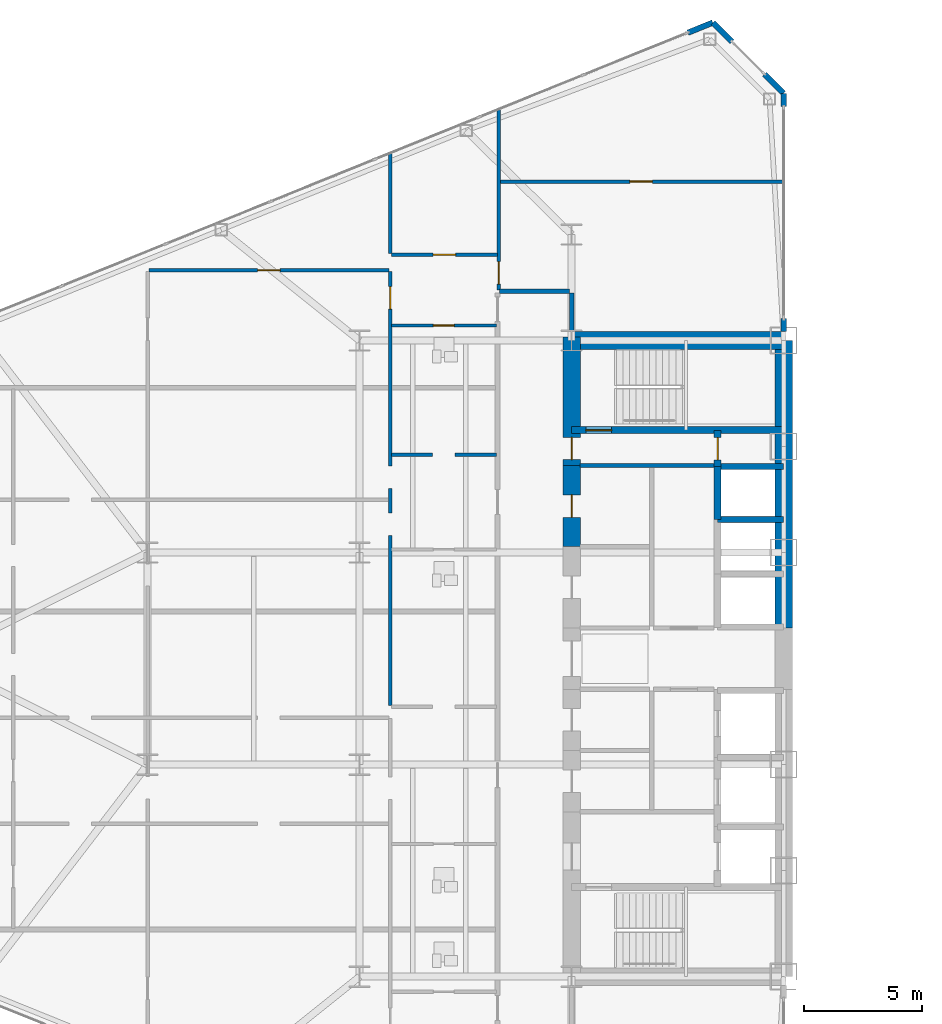
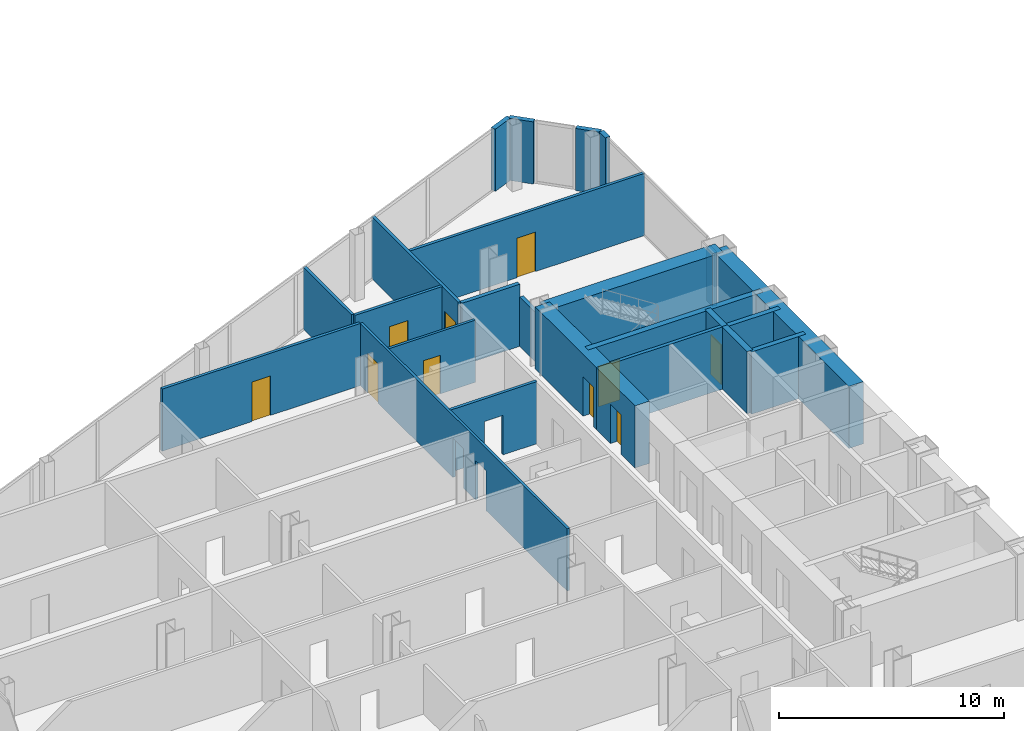
# One storey, part 19 of 25: 25 walls, 10 doors, 13 openings.
"""IFC4 building model written with IfcOpenShell, lengths in metres."""

from ifc_helpers import new_model, si_unit, direction, frame, frame_2d, origin, place, context, subcontext, project, spatial, rectangle, extrude, source, transform, mapped, material, layer, layer_set, type_object, type_shapes, element, fill, save


model = new_model("IFC4")

# Units and contexts
model_context = context("Model", 3, precision=1e-05, world=origin(), true_north=direction((0.0, 1.0)))
body_context = subcontext(model_context, "Body", "Model", "MODEL_VIEW")
ifc_project = project(units=[si_unit("LENGTHUNIT", "METRE"), si_unit("AREAUNIT", "SQUARE_METRE"), si_unit("VOLUMEUNIT", "CUBIC_METRE"), si_unit("PLANEANGLEUNIT", "RADIAN"), si_unit("MASSUNIT", "GRAM", prefix="KILO")], contexts=[model_context])

# Site, building, storey
site_placement = place(None, origin())
site = spatial("IfcSite", under=ifc_project, at=site_placement, CompositionType="ELEMENT")
building_placement = place(site_placement, origin())
building = spatial("IfcBuilding", under=site, at=building_placement, Name="Seokmaru Belvedere", CompositionType="ELEMENT")
storey_placement = place(building_placement, frame((0.0, 0.0, 26.10009765625)))
storey = spatial("IfcBuildingStorey", under=building, at=storey_placement, Name="L06", CompositionType="ELEMENT", Elevation=26.10009765625)

# Wall, opening
ifc_material_1 = material(Name="Fire-Rated Gypsum Shaftwall")
ifc_layer_1 = layer(ifc_material_1, 0.14990234375)
ifc_layer_set_1 = layer_set([ifc_layer_1], Name="Fire-Rated Gypsum Shaftwall")
wall_type_1 = type_object("IfcWallType", Name="Apartment Fire-Acoustic Room Partition 150", PredefinedType="PARTITIONING", material=ifc_layer_set_1)
wall_1_placement = place(storey_placement, frame((-44.14990234375, 8.64990234375, 0.0), z_axis=(0.0, 0.0, 1.0), x_axis=(1.0, 0.0, 0.0)))
wall_1 = element("IfcWall", 1, at=wall_1_placement, inside=storey, type_object=wall_type_1, Name="L06 Interior Partition 026", PredefinedType="PARTITIONING", context=body_context, shape_type="SweptSolid", body=[
    extrude(rectangle(XDim=4.449951171875, YDim=0.14990234375, at=frame_2d((2.22509765625, 0.0))), origin(), (0.0, 0.0, 1.0), 3.3798828125),
])
opening_1_placement = place(wall_1_placement, frame((1.75, 0.0, 0.0)))
element("IfcOpeningElement", 2, at=opening_1_placement, cuts=wall_1, Name="L06 Cased Opening 023", PredefinedType="OPENING", context=body_context, shape_type="SweptSolid", body=[
    extrude(rectangle(XDim=0.949951171875, YDim=2.14990234375, at=frame_2d((0.47509765625, 1.074951171875))), frame((0.0, 0.0849609375, 0.0), z_axis=(0.0, -1.0, 0.0), x_axis=(1.0, 0.0, 0.0)), (0.0, 0.0, 1.0), 0.169921875),
])

# Wall, opening, door
wall_2_placement = place(storey_placement, frame((-54.449951171875, 16.47998046875, 0.0), z_axis=(0.0, 0.0, 1.0), x_axis=(1.0, 0.0, 0.0)))
wall_2 = element("IfcWall", 3, at=wall_2_placement, inside=storey, type_object=wall_type_1, Name="L06 Interior Partition 034", PredefinedType="PARTITIONING", context=body_context, shape_type="SweptSolid", body=[
    extrude(rectangle(XDim=10.199951171875, YDim=0.14990234375, at=frame_2d((5.10009765625, 0.0))), origin(), (0.0, 0.0, 1.0), 3.3798828125),
])
opening_2_placement = place(wall_2_placement, frame((4.625, 0.0, 0.0)))
opening_2 = element("IfcOpeningElement", 4, at=opening_2_placement, cuts=wall_2, Name="Opening D05", PredefinedType="OPENING", context=body_context, shape_type="SweptSolid", body=[
    extrude(rectangle(XDim=0.949951171875, YDim=2.14990234375, at=frame_2d((0.47509765625, 1.074951171875))), frame((0.0, 0.0849609375, 0.0), z_axis=(0.0, -1.0, 0.0), x_axis=(1.0, 0.0, 0.0)), (0.0, 0.0, 1.0), 0.169921875),
])
ifc_material_2 = material(Name="Engineered White Oak Timber", Category="wood")
door_type_1 = type_object("IfcDoorType", Name="Apartment Interior Fire-Rated Oak Door 950x2150", OperationType="NOTDEFINED", PredefinedType="DOOR", material=ifc_material_2)
shared_shape_1 = source(origin(), body_context, "Body", "SweptSolid", [
    extrude(rectangle(XDim=0.949951171875, YDim=2.14990234375, at=frame_2d((0.47509765625, 1.074951171875))), frame((0.0, 0.02490234375, 0.0), z_axis=(0.0, -1.0, 0.0), x_axis=(1.0, 0.0, 0.0)), (0.0, 0.0, 1.0), 0.050048828125),
])
type_shapes(door_type_1, [shared_shape_1])
door_1_placement = place(opening_2_placement, origin())
door_1 = element("IfcDoor", 5, at=door_1_placement, inside=storey, type_object=door_type_1, Name="L06 Interior Door 036", OperationType="SINGLE_SWING_LEFT", OverallHeight=2.14990234375, OverallWidth=0.949951171875, PredefinedType="DOOR", context=body_context, shape_type="MappedRepresentation", body=[
    mapped(shared_shape_1, transform((0.0, 0.0, 0.0), scale=1.0)),
])
fill(opening_2, door_1)

wall_3_placement = place(storey_placement, frame((-44.14990234375, 17.139892578125, 0.0), z_axis=(0.0, 0.0, 1.0), x_axis=(1.0, 0.0, 0.0)))
wall_3 = element("IfcWall", 6, at=wall_3_placement, inside=storey, type_object=wall_type_1, Name="L06 Interior Partition 035", PredefinedType="PARTITIONING", context=body_context, shape_type="SweptSolid", body=[
    extrude(rectangle(XDim=4.5, YDim=0.14990234375, at=frame_2d((2.25, 0.0))), origin(), (0.0, 0.0, 1.0), 3.3798828125),
])
opening_3_placement = place(wall_3_placement, frame((1.77490234375, 0.0, 0.0)))
opening_3 = element("IfcOpeningElement", 7, at=opening_3_placement, cuts=wall_3, Name="Opening D05", PredefinedType="OPENING", context=body_context, shape_type="SweptSolid", body=[
    extrude(rectangle(XDim=0.949951171875, YDim=2.14990234375, at=frame_2d((0.47509765625, 1.074951171875))), frame((0.0, 0.0849609375, 0.0), z_axis=(0.0, -1.0, 0.0), x_axis=(1.0, 0.0, 0.0)), (0.0, 0.0, 1.0), 0.169921875),
])
door_2_placement = place(opening_3_placement, origin())
door_2 = element("IfcDoor", 8, at=door_2_placement, inside=storey, type_object=door_type_1, Name="L06 Interior Door 032", OperationType="SINGLE_SWING_LEFT", OverallHeight=2.14990234375, OverallWidth=0.949951171875, PredefinedType="DOOR", context=body_context, shape_type="MappedRepresentation", body=[
    mapped(shared_shape_1, transform((0.0, 0.0, 0.0), scale=1.0)),
])
fill(opening_3, door_2)

wall_4_placement = place(storey_placement, frame((-39.550048828125, 20.25, 0.0), z_axis=(0.0, 0.0, 1.0), x_axis=(1.0, 0.0, 0.0)))
wall_4 = element("IfcWall", 9, at=wall_4_placement, inside=storey, type_object=wall_type_1, Name="L06 Interior Partition 037", PredefinedType="PARTITIONING", context=body_context, shape_type="SweptSolid", body=[
    extrude(rectangle(XDim=12.0849609375, YDim=0.14990234375, at=frame_2d((6.04248046875, 0.0))), origin(), (0.0, 0.0, 1.0), 3.3798828125),
])
opening_4_placement = place(wall_4_placement, frame((5.52490234375, 0.0, 0.0)))
opening_4 = element("IfcOpeningElement", 10, at=opening_4_placement, cuts=wall_4, Name="Opening D05", PredefinedType="OPENING", context=body_context, shape_type="SweptSolid", body=[
    extrude(rectangle(XDim=0.949951171875, YDim=2.14990234375, at=frame_2d((0.47509765625, 1.074951171875))), frame((0.0, 0.0849609375, 0.0), z_axis=(0.0, -1.0, 0.0), x_axis=(1.0, 0.0, 0.0)), (0.0, 0.0, 1.0), 0.169921875),
])
door_3_placement = place(opening_4_placement, origin())
door_3 = element("IfcDoor", 11, at=door_3_placement, inside=storey, type_object=door_type_1, Name="L06 Interior Door 037", OperationType="SINGLE_SWING_RIGHT", OverallHeight=2.14990234375, OverallWidth=0.949951171875, PredefinedType="DOOR", context=body_context, shape_type="MappedRepresentation", body=[
    mapped(shared_shape_1, transform((0.0, 0.0, 0.0), scale=1.0)),
])
fill(opening_4, door_3)

# Wall
wall_5_placement = place(storey_placement, frame((-44.199951171875, 17.195068359375, 0.0), z_axis=(0.0, 0.0, 1.0), x_axis=(0.0, 1.0, 0.0)))
element("IfcWall", 12, at=wall_5_placement, inside=storey, type_object=wall_type_1, Name="L06 Interior Partition 044", PredefinedType="PARTITIONING", context=body_context, shape_type="SweptSolid", body=[
    extrude(rectangle(XDim=4.294921875, YDim=0.14990234375, at=frame_2d((2.1474609375, 0.0))), origin(), (0.0, 0.0, 1.0), 3.3798828125),
])

# Wall, opening, door
wall_6_placement = place(storey_placement, frame((-39.60009765625, 15.64990234375, 0.0), z_axis=(0.0, 0.0, 1.0), x_axis=(0.0, 1.0, 0.0)))
wall_6 = element("IfcWall", 13, at=wall_6_placement, inside=storey, type_object=wall_type_1, Name="L06 Interior Partition 047", PredefinedType="PARTITIONING", context=body_context, shape_type="SweptSolid", body=[
    extrude(rectangle(XDim=7.7021484375, YDim=0.14990234375, at=frame_2d((3.85107421875, 0.0))), origin(), (0.0, 0.0, 1.0), 3.3798828125),
])
opening_5_placement = place(wall_6_placement, frame((0.24755859375, 0.0, 0.0)))
opening_5 = element("IfcOpeningElement", 14, at=opening_5_placement, cuts=wall_6, Name="Opening D05", PredefinedType="OPENING", context=body_context, shape_type="SweptSolid", body=[
    extrude(rectangle(XDim=0.949951171875, YDim=2.14990234375, at=frame_2d((0.47509765625, 1.074951171875))), frame((0.0, 0.0849609375, 0.0), z_axis=(0.0, -1.0, 0.0), x_axis=(1.0, 0.0, 0.0)), (0.0, 0.0, 1.0), 0.169921875),
])
door_4_placement = place(opening_5_placement, origin())
door_4 = element("IfcDoor", 15, at=door_4_placement, inside=storey, type_object=door_type_1, Name="L06 Interior Door 034", OperationType="SINGLE_SWING_LEFT", OverallHeight=2.14990234375, OverallWidth=0.949951171875, PredefinedType="DOOR", context=body_context, shape_type="MappedRepresentation", body=[
    mapped(shared_shape_1, transform((0.0, 0.0, 0.0), scale=1.0)),
])
fill(opening_5, door_4)

# Walls
ifc_layer_2 = layer(ifc_material_1, 0.179931640625)
ifc_layer_set_2 = layer_set([ifc_layer_2], Name="Fire-Rated Gypsum Shaftwall")
wall_type_2 = type_object("IfcWallType", Name="Core Service Fire Partition 180", PredefinedType="PARTITIONING", material=ifc_layer_set_2)
wall_7_placement = place(storey_placement, frame((-36.14990234375, 8.199951171875, 0.0), z_axis=(0.0, 0.0, 1.0), x_axis=(1.0, 0.0, 0.0)))
element("IfcWall", 16, at=wall_7_placement, inside=storey, type_object=wall_type_2, Name="L06 West Smokeproof Vestibule Partition", PredefinedType="PARTITIONING", context=body_context, shape_type="SweptSolid", body=[
    extrude(rectangle(XDim=5.699951171875, YDim=0.179931640625, at=frame_2d((2.85009765625, 0.0))), origin(), (0.0, 0.0, 1.0), 3.3798828125),
])
ifc_material_3 = material(Name="Concrete C50 (50 MPa)", Category="concrete")
ifc_layer_3 = layer(ifc_material_3, 0.25)
ifc_layer_set_3 = layer_set([ifc_layer_3], Name="Concrete C50 (50 MPa)")
wall_type_3 = type_object("IfcWallType", Name="Hoistway Transverse Concrete Divider Wall 250", PredefinedType="SHEAR", material=ifc_layer_set_3)
for number, where, z_axis, x_axis, name in (
    (17, (-30.300048828125, 5.89990234375, 0.0), (0.0, 0.0, 1.0), (1.0, 0.0, 0.0), "L06 West Hoistway Divider Core Wall 6"),
    (18, (-30.300048828125, 8.14990234375, 0.0), (0.0, 0.0, 1.0), (1.0, 0.0, 0.0), "L06 West Hoistway Divider Core Wall 7"),
):
    element("IfcWall", number, at=place(storey_placement, frame(where, z_axis=z_axis, x_axis=x_axis)), inside=storey, type_object=wall_type_3, Name=name, PredefinedType="SHEAR", context=body_context, shape_type="SweptSolid", body=[
        extrude(rectangle(XDim=2.800048828125, YDim=0.25, at=frame_2d((1.39990234375, 0.0))), origin(), (0.0, 0.0, 1.0), 3.3798828125),
    ])
ifc_layer_4 = layer(ifc_material_1, 0.199951171875)
ifc_layer_set_4 = layer_set([ifc_layer_4], Name="Fire-Rated Gypsum Shaftwall")
wall_type_4 = type_object("IfcWallType", Name="Inter-Tenancy Fire Compartment Partition 200", PredefinedType="PARTITIONING", material=ifc_layer_set_4)
wall_8_placement = place(storey_placement, frame((-39.56494140625, 15.60009765625, 0.0), z_axis=(0.0, 0.0, 1.0), x_axis=(1.0, 0.0, 0.0)))
element("IfcWall", 19, at=wall_8_placement, inside=storey, type_object=wall_type_4, Name="L06 Interior Partition 032", PredefinedType="PARTITIONING", context=body_context, shape_type="SweptSolid", body=[
    extrude(rectangle(XDim=2.97998046875, YDim=0.199951171875, at=frame_2d((1.489990234375, 0.0))), origin(), (0.0, 0.0, 1.0), 3.3798828125),
])
wall_9_placement = place(storey_placement, frame((-36.5, 13.8798828125, 0.0), z_axis=(0.0, 0.0, 1.0), x_axis=(0.0, 1.0, 0.0)))
element("IfcWall", 20, at=wall_9_placement, inside=storey, type_object=wall_type_4, Name="L06 Interior Partition 049", PredefinedType="PARTITIONING", context=body_context, shape_type="SweptSolid", body=[
    extrude(rectangle(XDim=1.635009765625, YDim=0.199951171875, at=frame_2d((0.8173828125, 0.0))), origin(), (0.0, 0.0, 1.0), 2.679931640625),
])

# Wall, opening, door
ifc_layer_5 = layer(ifc_material_3, 0.300048828125)
ifc_layer_set_5 = layer_set([ifc_layer_5], Name="Concrete C50 (50 MPa)")
wall_type_5 = type_object("IfcWallType", Name="Internal Core Stair and Hoistway Wall 300", PredefinedType="SHEAR", material=ifc_layer_set_5)
wall_10_placement = place(storey_placement, frame((-36.5, 9.699951171875, 0.0), z_axis=(0.0, 0.0, 1.0), x_axis=(1.0, 0.0, 0.0)))
wall_10 = element("IfcWall", 21, at=wall_10_placement, inside=storey, type_object=wall_type_5, Name="L06 West Stair ST-2 Enclosure Wall", PredefinedType="SHEAR", context=body_context, shape_type="SweptSolid", body=[
    extrude(rectangle(XDim=9.0, YDim=0.300048828125, at=frame_2d((4.5, 0.0))), origin(), (0.0, 0.0, 1.0), 3.3798828125),
])
opening_6_placement = place(wall_10_placement, frame((0.60009765625, 0.0, 0.0)))
opening_6 = element("IfcOpeningElement", 22, at=opening_6_placement, cuts=wall_10, Name="Opening D01", PredefinedType="OPENING", context=body_context, shape_type="SweptSolid", body=[
    extrude(rectangle(XDim=1.10009765625, YDim=2.199951171875, at=frame_2d((0.550048828125, 1.10009765625))), frame((0.0, 0.16015625, 0.0), z_axis=(0.0, -1.0, 0.0), x_axis=(1.0, 0.0, 0.0)), (0.0, 0.0, 1.0), 0.320068359375),
])
ifc_material_4 = material(Name="Fire-Rated Steel Leaf", Category="steel")
door_type_2 = type_object("IfcDoorType", Name="Special Escape Stair Smokeproof Fire Door 1100x2200", OperationType="NOTDEFINED", PredefinedType="DOOR", material=ifc_material_4)
shared_shape_2 = source(origin(), body_context, "Body", "SweptSolid", [
    extrude(rectangle(XDim=1.10009765625, YDim=2.199951171875, at=frame_2d((0.550048828125, 1.10009765625))), frame((0.0, 0.02490234375, 0.0), z_axis=(0.0, -1.0, 0.0), x_axis=(1.0, 0.0, 0.0)), (0.0, 0.0, 1.0), 0.050048828125),
])
type_shapes(door_type_2, [shared_shape_2])
door_5_placement = place(opening_6_placement, origin())
door_5 = element("IfcDoor", 23, at=door_5_placement, inside=storey, type_object=door_type_2, Name="L06 West Special Escape Stair ST-2 Door", OperationType="SINGLE_SWING_RIGHT", OverallHeight=2.199951171875, OverallWidth=1.10009765625, PredefinedType="DOOR", context=body_context, shape_type="MappedRepresentation", body=[
    mapped(shared_shape_2, transform((0.0, 0.0, 0.0), scale=1.0)),
])
fill(opening_6, door_5)

# Wall
wall_11_placement = place(storey_placement, frame((-30.300048828125, 5.89990234375, 0.0), z_axis=(0.0, 0.0, 1.0), x_axis=(0.0, 1.0, 0.0)))
element("IfcWall", 24, at=wall_11_placement, inside=storey, type_object=wall_type_5, Name="L06 West North Hoistway Wall OBS", PredefinedType="SHEAR", context=body_context, shape_type="SweptSolid", body=[
    extrude(rectangle(XDim=2.25, YDim=0.300048828125, at=frame_2d((1.125, 0.0))), origin(), (0.0, 0.0, 1.0), 3.3798828125),
])

# Wall, opening, door
wall_12_placement = place(storey_placement, frame((-30.300048828125, 8.14990234375, 0.0), z_axis=(0.0, 0.0, 1.0), x_axis=(0.0, 1.0, 0.0)))
wall_12 = element("IfcWall", 25, at=wall_12_placement, inside=storey, type_object=wall_type_5, Name="L06 West Electrical Riser Front Wall", PredefinedType="SHEAR", context=body_context, shape_type="SweptSolid", body=[
    extrude(rectangle(XDim=1.530029296875, YDim=0.300048828125, at=frame_2d((0.76513671875, 0.0))), origin(), (0.0, 0.0, 1.0), 3.3798828125),
])
opening_7_placement = place(wall_12_placement, frame((0.284912109375, 0.0, 0.0)))
opening_7 = element("IfcOpeningElement", 26, at=opening_7_placement, cuts=wall_12, Name="Opening D04", PredefinedType="OPENING", context=body_context, shape_type="SweptSolid", body=[
    extrude(rectangle(XDim=0.949951171875, YDim=2.14990234375, at=frame_2d((0.47509765625, 1.074951171875))), frame((0.0, 0.16015625, 0.0), z_axis=(0.0, -1.0, 0.0), x_axis=(1.0, 0.0, 0.0)), (0.0, 0.0, 1.0), 0.320068359375),
])
door_type_3 = type_object("IfcDoorType", Name="Core Service Room Fire Door 950x2150", OperationType="NOTDEFINED", PredefinedType="DOOR", material=ifc_material_4)
shared_shape_3 = source(origin(), body_context, "Body", "SweptSolid", [
    extrude(rectangle(XDim=0.949951171875, YDim=2.14990234375, at=frame_2d((0.47509765625, 1.074951171875))), frame((0.0, 0.02490234375, 0.0), z_axis=(0.0, -1.0, 0.0), x_axis=(1.0, 0.0, 0.0)), (0.0, 0.0, 1.0), 0.050048828125),
])
type_shapes(door_type_3, [shared_shape_3])
door_6_placement = place(opening_7_placement, origin())
door_6 = element("IfcDoor", 27, at=door_6_placement, inside=storey, type_object=door_type_3, Name="L06 West Electrical Riser Access Door", OperationType="SINGLE_SWING_LEFT", OverallHeight=2.14990234375, OverallWidth=0.949951171875, PredefinedType="DOOR", context=body_context, shape_type="MappedRepresentation", body=[
    mapped(shared_shape_3, transform((0.0, 0.0, 0.0), scale=1.0)),
])
fill(opening_7, door_6)

# Walls
ifc_material_5 = material(Name="Concrete C60 (60 MPa)", Category="concrete")
ifc_layer_6 = layer(ifc_material_5, 0.75)
ifc_layer_set_6 = layer_set([ifc_layer_6], Name="Concrete C60 (60 MPa)")
wall_type_6 = type_object("IfcWallType", Name="Lower Tower Reinforced Concrete Core Wall 750", PredefinedType="SHEAR", material=ifc_layer_set_6)
wall_13_placement = place(storey_placement, frame((-27.5, 1.300048828125, 0.0), z_axis=(0.0, 0.0, 1.0), x_axis=(0.0, 1.0, 0.0)))
element("IfcWall", 28, at=wall_13_placement, inside=storey, type_object=wall_type_6, Name="L06 West Portal Spine Core Wall North", PredefinedType="SHEAR", context=body_context, shape_type="SweptSolid", body=[
    extrude(rectangle(XDim=12.199951171875, YDim=0.75, at=frame_2d((6.10009765625, 0.0))), origin(), (0.0, 0.0, 1.0), 3.3798828125),
])
wall_14_placement = place(storey_placement, frame((-36.5, 13.5, 0.0), z_axis=(0.0, 0.0, 1.0), x_axis=(1.0, 0.0, 0.0)))
element("IfcWall", 29, at=wall_14_placement, inside=storey, type_object=wall_type_6, Name="L06 West North Core Wall", PredefinedType="SHEAR", context=body_context, shape_type="SweptSolid", body=[
    extrude(rectangle(XDim=9.0, YDim=0.75, at=frame_2d((4.5, 0.0))), origin(), (0.0, 0.0, 1.0), 3.3798828125),
])

# Wall, opening, door
wall_15_placement = place(storey_placement, frame((-36.5, 8.199951171875, 0.0), z_axis=(0.0, 0.0, 1.0), x_axis=(0.0, 1.0, 0.0)))
wall_15 = element("IfcWall", 30, at=wall_15_placement, inside=storey, type_object=wall_type_6, Name="L06 West West Core Wall VST", PredefinedType="SHEAR", context=body_context, shape_type="SweptSolid", body=[
    extrude(rectangle(XDim=5.449951171875, YDim=0.75, at=frame_2d((2.72509765625, 0.0))), origin(), (0.0, 0.0, 1.0), 3.3798828125),
])
opening_8_placement = place(wall_15_placement, frame((0.2451171875, 0.0, 0.0)))
opening_8 = element("IfcOpeningElement", 31, at=opening_8_placement, cuts=wall_15, Name="Opening D04", PredefinedType="OPENING", context=body_context, shape_type="SweptSolid", body=[
    extrude(rectangle(XDim=0.949951171875, YDim=2.14990234375, at=frame_2d((0.47509765625, 1.074951171875))), frame((0.0, 0.385009765625, 0.0), z_axis=(0.0, -1.0, 0.0), x_axis=(1.0, 0.0, 0.0)), (0.0, 0.0, 1.0), 0.77001953125),
])
door_7_placement = place(opening_8_placement, frame((0.949951171875, 0.0, 0.0), z_axis=(0.0, 0.0, 1.0), x_axis=(-1.0, 0.0, 0.0)))
door_7 = element("IfcDoor", 32, at=door_7_placement, inside=storey, type_object=door_type_3, Name="L06 West Smokeproof Vestibule Door", OperationType="SINGLE_SWING_RIGHT", OverallHeight=2.14990234375, OverallWidth=0.949951171875, PredefinedType="DOOR", context=body_context, shape_type="MappedRepresentation", body=[
    mapped(shared_shape_3, transform((0.0, 0.0, 0.0), scale=1.0)),
])
fill(opening_8, door_7)

wall_16_placement = place(storey_placement, frame((-36.5, 4.75, 0.0), z_axis=(0.0, 0.0, 1.0), x_axis=(0.0, 1.0, 0.0)))
wall_16 = element("IfcWall", 33, at=wall_16_placement, inside=storey, type_object=wall_type_6, Name="L06 West West Core Wall CS4", PredefinedType="SHEAR", context=body_context, shape_type="SweptSolid", body=[
    extrude(rectangle(XDim=3.449951171875, YDim=0.75, at=frame_2d((1.72509765625, 0.0))), origin(), (0.0, 0.0, 1.0), 3.3798828125),
])
opening_9_placement = place(wall_16_placement, frame((1.25, 0.0, 0.0)))
opening_9 = element("IfcOpeningElement", 34, at=opening_9_placement, cuts=wall_16, Name="Opening D04", PredefinedType="OPENING", context=body_context, shape_type="SweptSolid", body=[
    extrude(rectangle(XDim=0.949951171875, YDim=2.14990234375, at=frame_2d((0.47509765625, 1.074951171875))), frame((0.0, 0.385009765625, 0.0), z_axis=(0.0, -1.0, 0.0), x_axis=(1.0, 0.0, 0.0)), (0.0, 0.0, 1.0), 0.77001953125),
])
door_8_placement = place(opening_9_placement, origin())
door_8 = element("IfcDoor", 35, at=door_8_placement, inside=storey, type_object=door_type_3, Name="L06 West Core Service Room Door 4", OperationType="SINGLE_SWING_RIGHT", OverallHeight=2.14990234375, OverallWidth=0.949951171875, PredefinedType="DOOR", context=body_context, shape_type="MappedRepresentation", body=[
    mapped(shared_shape_3, transform((0.0, 0.0, 0.0), scale=1.0)),
])
fill(opening_9, door_8)

ifc_layer_7 = layer(ifc_material_1, 0.1298828125)
ifc_layer_set_7 = layer_set([ifc_layer_7], Name="Fire-Rated Gypsum Shaftwall")
wall_type_7 = type_object("IfcWallType", Name="Moisture-Resistant Fire-Rated Bathroom Partition 130", PredefinedType="PARTITIONING", material=ifc_layer_set_7)
wall_17_placement = place(storey_placement, frame((-44.14990234375, 14.139892578125, 0.0), z_axis=(0.0, 0.0, 1.0), x_axis=(1.0, 0.0, 0.0)))
wall_17 = element("IfcWall", 36, at=wall_17_placement, inside=storey, type_object=wall_type_7, Name="L06 Interior Partition 031", PredefinedType="PARTITIONING", context=body_context, shape_type="SweptSolid", body=[
    extrude(rectangle(XDim=4.449951171875, YDim=0.1298828125, at=frame_2d((2.22509765625, 0.0))), origin(), (0.0, 0.0, 1.0), 3.3798828125),
])
opening_10_placement = place(wall_17_placement, frame((1.784912109375, 0.0, 0.0)))
opening_10 = element("IfcOpeningElement", 37, at=opening_10_placement, cuts=wall_17, Name="Opening D06", PredefinedType="OPENING", context=body_context, shape_type="SweptSolid", body=[
    extrude(rectangle(XDim=0.8798828125, YDim=2.10009765625, at=frame_2d((0.43994140625, 1.050048828125))), frame((0.0, 0.074951171875, 0.0), z_axis=(0.0, -1.0, 0.0), x_axis=(1.0, 0.0, 0.0)), (0.0, 0.0, 1.0), 0.14990234375),
])
door_type_4 = type_object("IfcDoorType", Name="Bathroom and Restroom Fire-Rated Door 880x2100", OperationType="NOTDEFINED", PredefinedType="DOOR", material=ifc_material_2)
shared_shape_4 = source(origin(), body_context, "Body", "SweptSolid", [
    extrude(rectangle(XDim=0.8798828125, YDim=2.10009765625, at=frame_2d((0.43994140625, 1.050048828125))), frame((0.0, 0.02490234375, 0.0), z_axis=(0.0, -1.0, 0.0), x_axis=(1.0, 0.0, 0.0)), (0.0, 0.0, 1.0), 0.050048828125),
])
type_shapes(door_type_4, [shared_shape_4])
door_9_placement = place(opening_10_placement, origin())
door_9 = element("IfcDoor", 38, at=door_9_placement, inside=storey, type_object=door_type_4, Name="L06 Interior Door 031", OperationType="SINGLE_SWING_LEFT", OverallHeight=2.10009765625, OverallWidth=0.8798828125, PredefinedType="DOOR", context=body_context, shape_type="MappedRepresentation", body=[
    mapped(shared_shape_4, transform((0.0, 0.0, 0.0), scale=1.0)),
])
fill(opening_10, door_9)

# Wall, openings, door
wall_18_placement = place(storey_placement, frame((-44.199951171875, -1.998046875, 0.0), z_axis=(0.0, 0.0, 1.0), x_axis=(0.0, 1.0, 0.0)))
wall_18 = element("IfcWall", 39, at=wall_18_placement, inside=storey, type_object=wall_type_7, Name="L06 Interior Partition 043", PredefinedType="PARTITIONING", context=body_context, shape_type="SweptSolid", body=[
    extrude(rectangle(XDim=18.425048828125, YDim=0.1298828125, at=frame_2d((9.21240234375, 0.0))), origin(), (0.0, 0.0, 1.0), 3.3798828125),
])
opening_11_placement = place(wall_18_placement, frame((7.220458984375, 0.0, 0.0)))
element("IfcOpeningElement", 40, at=opening_11_placement, cuts=wall_18, Name="L06 Cased Opening 024", PredefinedType="OPENING", context=body_context, shape_type="SweptSolid", body=[
    extrude(rectangle(XDim=0.949951171875, YDim=2.14990234375, at=frame_2d((0.47509765625, 1.074951171875))), frame((0.0, 0.074951171875, 0.0), z_axis=(0.0, -1.0, 0.0), x_axis=(1.0, 0.0, 0.0)), (0.0, 0.0, 1.0), 0.14990234375),
])
opening_12_placement = place(wall_18_placement, frame((9.22412109375, 0.0, 0.0)))
element("IfcOpeningElement", 41, at=opening_12_placement, cuts=wall_18, Name="L06 Cased Opening 025", PredefinedType="OPENING", context=body_context, shape_type="SweptSolid", body=[
    extrude(rectangle(XDim=0.949951171875, YDim=2.14990234375, at=frame_2d((0.47509765625, 1.074951171875))), frame((0.0, 0.074951171875, 0.0), z_axis=(0.0, -1.0, 0.0), x_axis=(1.0, 0.0, 0.0)), (0.0, 0.0, 1.0), 0.14990234375),
])
opening_13_placement = place(wall_18_placement, frame((16.834228515625, 0.0, 0.0)))
opening_13 = element("IfcOpeningElement", 42, at=opening_13_placement, cuts=wall_18, Name="Opening D05", PredefinedType="OPENING", context=body_context, shape_type="SweptSolid", body=[
    extrude(rectangle(XDim=0.949951171875, YDim=2.14990234375, at=frame_2d((0.47509765625, 1.074951171875))), frame((0.0, 0.074951171875, 0.0), z_axis=(0.0, -1.0, 0.0), x_axis=(1.0, 0.0, 0.0)), (0.0, 0.0, 1.0), 0.14990234375),
])
door_10_placement = place(opening_13_placement, origin())
door_10 = element("IfcDoor", 43, at=door_10_placement, inside=storey, type_object=door_type_1, Name="L06 Interior Door 033", OperationType="SINGLE_SWING_RIGHT", OverallHeight=2.14990234375, OverallWidth=0.949951171875, PredefinedType="DOOR", context=body_context, shape_type="MappedRepresentation", body=[
    mapped(shared_shape_1, transform((0.0, 0.0, 0.0), scale=1.0)),
])
fill(opening_13, door_10)

# Walls
ifc_material_6 = material(Name="Anodised Bronze Aluminium", Category="aluminium")
ifc_layer_8 = layer(ifc_material_6, 0.239990234375)
ifc_layer_set_8 = layer_set([ifc_layer_8], Name="Anodised Bronze Aluminium")
wall_type_8 = type_object("IfcWallType", Name="Tower Corner Spandrel Closure Wall 240", PredefinedType="SOLIDWALL", material=ifc_layer_set_8)
wall_19_placement = place(storey_placement, frame((-27.5, 13.8798828125, 0.0), z_axis=(0.0, 0.0, 1.0), x_axis=(0.0, 1.0, 0.0)))
element("IfcWall", 44, at=wall_19_placement, inside=storey, type_object=wall_type_8, Name="L06 W Spine Closure Pier 2A", PredefinedType="SOLIDWALL", context=body_context, shape_type="SweptSolid", body=[
    extrude(rectangle(XDim=0.550048828125, YDim=0.239990234375, at=frame_2d((0.27490234375, 0.0))), origin(), (0.0, 0.0, 1.0), 2.8798828125),
])
wall_20_placement = place(storey_placement, frame((-27.5, 23.429931640625, 0.0), z_axis=(0.0, 0.0, 1.0), x_axis=(0.0, 1.0, 0.0)))
element("IfcWall", 45, at=wall_20_placement, inside=storey, type_object=wall_type_8, Name="L06 W Spine Closure Pier 2B", PredefinedType="SOLIDWALL", context=body_context, shape_type="SweptSolid", body=[
    extrude(rectangle(XDim=0.550048828125, YDim=0.239990234375, at=frame_2d((0.27490234375, 0.0))), origin(), (0.0, 0.0, 1.0), 3.3798828125),
])
for number, where, z_axis, x_axis, name in (
    (46, (-27.507080078125, 24.007080078125, 0.0), (0.0, 0.0, 1.0), (-0.707106781187, 0.707106781187, 0.0), "L06 W Corner Closure Pier 2A"),
    (47, (-29.686767578125, 26.186767578125, 0.0), (0.0, 0.0, 1.0), (-0.707106781187, 0.707106781187, 0.0), "L06 W Corner Closure Pier 2B"),
):
    element("IfcWall", number, at=place(storey_placement, frame(where, z_axis=z_axis, x_axis=x_axis)), inside=storey, type_object=wall_type_8, Name=name, PredefinedType="SOLIDWALL", context=body_context, shape_type="SweptSolid", body=[
        extrude(rectangle(XDim=1.14013671875, YDim=0.239990234375, at=frame_2d((0.570068359375, 0.0))), origin(), (0.0, 0.0, 1.0), 3.3798828125),
    ])
wall_21_placement = place(storey_placement, frame((-30.50927734375, 26.99609375, 0.0), z_axis=(0.0, 0.0, 1.0), x_axis=(-0.927007103665, -0.375043770452, 0.0)))
element("IfcWall", 48, at=wall_21_placement, inside=storey, type_object=wall_type_8, Name="L06 W Corner Closure Pier 3A", PredefinedType="SOLIDWALL", context=body_context, shape_type="SweptSolid", body=[
    extrude(rectangle(XDim=1.139892578125, YDim=0.239990234375, at=frame_2d((0.56982421875, 0.0))), origin(), (0.0, 0.0, 1.0), 3.3798828125),
])

save(model, "model.ifc")
